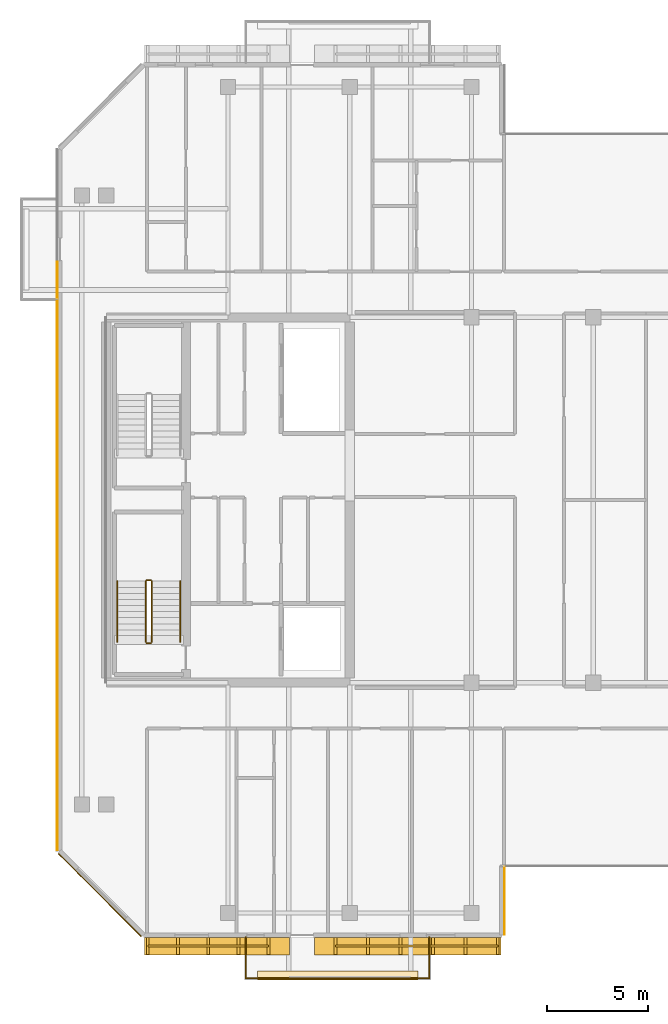
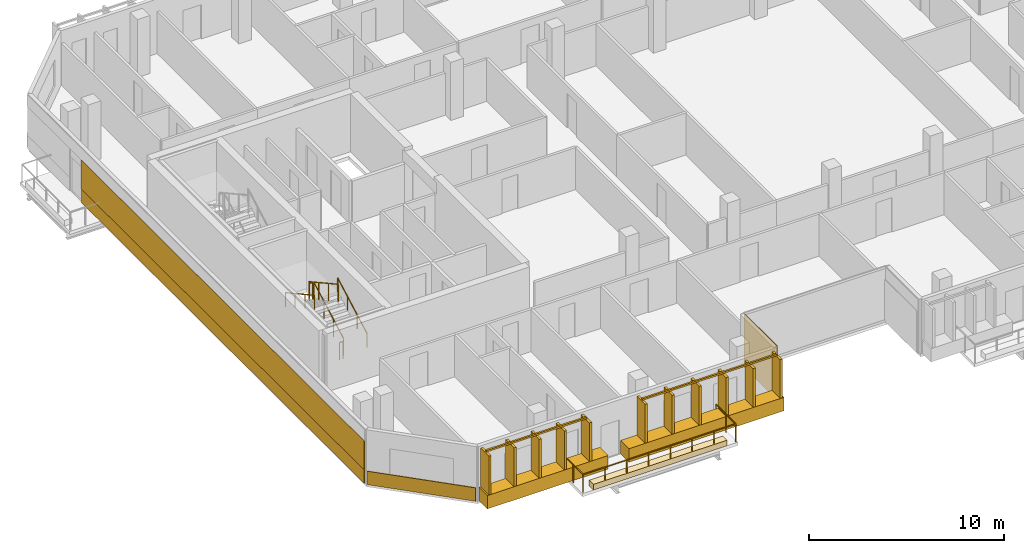
# One storey, part 18 of 23: 9 railings, 7 coverings.
"""IFC4 building model written with IfcOpenShell, lengths in metres."""

from ifc_helpers import new_model, si_unit, direction, frame, origin, origin_2d, place, context, subcontext, project, spatial, polyline, rectangle, outline, extrude, material, layer, layer_set, type_object, element, save


model = new_model("IFC4")

# Units and contexts
model_context = context("Model", 3, precision=1e-05, world=origin(), true_north=direction((0.0, 1.0)))
body_context = subcontext(model_context, "Body", "Model", "MODEL_VIEW")
ifc_project = project(units=[si_unit("LENGTHUNIT", "METRE"), si_unit("AREAUNIT", "SQUARE_METRE"), si_unit("VOLUMEUNIT", "CUBIC_METRE"), si_unit("PLANEANGLEUNIT", "RADIAN"), si_unit("MASSUNIT", "GRAM", prefix="KILO")], contexts=[model_context])

# Site, building, storey
site_placement = place(None, origin())
site = spatial("IfcSite", under=ifc_project, at=site_placement, CompositionType="ELEMENT")
building_placement = place(site_placement, origin())
building = spatial("IfcBuilding", under=site, at=building_placement, Name="Tanjung Sevakor Pilgrim Tower", CompositionType="ELEMENT")
storey_placement = place(building_placement, frame((0.0, 0.0, 215.489990234375)))
storey = spatial("IfcBuildingStorey", under=building, at=storey_placement, Name="L60", CompositionType="ELEMENT", Elevation=215.489990234375)

# Coverings
ifc_material_1 = material(Name="Reconstructed Limestone Cladding", Category="masonry")
ifc_layer_1 = layer(ifc_material_1, 0.044921875)
ifc_layer_set_1 = layer_set([ifc_layer_1], Name="COV-CLAD-LIMESTONE")
covering_type_1 = type_object("IfcCoveringType", Name="COV-CLAD-LIMESTONE", PredefinedType="CLADDING", material=ifc_layer_set_1)
covering_1_placement = place(storey_placement, frame((29.462890625, 11.6201171875, 0.009765625), z_axis=(0.0, 0.0, 1.0), x_axis=(1.0, 0.0, 0.0)))
element("IfcCovering", 1, at=covering_1_placement, inside=storey, type_object=covering_type_1, Name="L60 Warm Limestone Sill Spandrel EW-L60-MAIN-1-1", PredefinedType="CLADDING", context=body_context, shape_type="SweptSolid", body=[
    extrude(rectangle(XDim=7.154296875, YDim=0.860107421875, at=origin_2d()), origin(), (0.0, 0.0, 1.0), 0.840087890625),
])
covering_2_placement = place(storey_placement, frame((38.85498046875, 11.6201171875, 0.009765625), z_axis=(0.0, 0.0, 1.0), x_axis=(1.0, 0.0, 0.0)))
element("IfcCovering", 2, at=covering_2_placement, inside=storey, type_object=covering_type_1, Name="L60 Warm Limestone Sill Spandrel EW-L60-MAIN-1-2", PredefinedType="CLADDING", context=body_context, shape_type="SweptSolid", body=[
    extrude(rectangle(XDim=9.18994140625, YDim=0.860107421875, at=origin_2d()), origin(), (0.0, 0.0, 1.0), 0.840087890625),
])
covering_3_placement = place(storey_placement, frame((43.62255859375, 13.860107421875, 0.02001953125), z_axis=(0.0, 0.0, 1.0), x_axis=(0.0, 1.0, 0.0)))
element("IfcCovering", 3, at=covering_3_placement, inside=storey, type_object=covering_type_1, Name="L60 Warm Limestone Wall Cladding EW-L60-MAIN-2", PredefinedType="CLADDING", context=body_context, shape_type="SweptSolid", body=[
    extrude(rectangle(XDim=3.360107421875, YDim=0.044921875, at=origin_2d()), origin(), (0.0, 0.0, 1.0), 3.3701171875),
])
covering_4_placement = place(storey_placement, frame((21.577392578125, 30.837890625, 0.009765625), z_axis=(0.0, 0.0, 1.0), x_axis=(0.0, -1.0, 0.0)))
element("IfcCovering", 4, at=covering_4_placement, inside=storey, type_object=covering_type_1, Name="L60 Warm Limestone Sill Spandrel EW-L60-MAIN-15-2", PredefinedType="CLADDING", context=body_context, shape_type="SweptSolid", body=[
    extrude(rectangle(XDim=29.00439453125, YDim=0.044921875, at=origin_2d()), origin(), (0.0, 0.0, 1.0), 0.840087890625),
])
covering_5_placement = place(storey_placement, frame((21.577392578125, 30.8427734375, 0.85009765625), z_axis=(0.0, 0.0, 1.0), x_axis=(0.0, -1.0, 0.0)))
element("IfcCovering", 5, at=covering_5_placement, inside=storey, type_object=covering_type_1, Name="L60 Warm Limestone Pier Panel EW-L60-MAIN-15-2", PredefinedType="CLADDING", context=body_context, shape_type="SweptSolid", body=[
    extrude(rectangle(XDim=29.014404296875, YDim=0.044921875, at=origin_2d()), origin(), (0.0, 0.0, 1.0), 1.81005859375),
])
covering_6_placement = place(storey_placement, frame((23.68408203125, 14.134033203125, 0.009765625), z_axis=(0.0, 0.0, 1.0), x_axis=(0.707106781187, -0.707106781187, 0.0)))
element("IfcCovering", 6, at=covering_6_placement, inside=storey, type_object=covering_type_1, Name="L60 Warm Limestone Sill Spandrel EW-CHM-L60-MAIN-15-1", PredefinedType="CLADDING", context=body_context, shape_type="SweptSolid", body=[
    extrude(rectangle(XDim=5.7685546875, YDim=0.044921875, at=origin_2d()), origin(), (0.0, 0.0, 1.0), 0.840087890625),
])
ifc_material_2 = material(Name="Vegetated Modular Planter Assembly", Category="organic")
ifc_layer_2 = layer(ifc_material_2, 0.35009765625)
ifc_layer_set_2 = layer_set([ifc_layer_2], Name="COV-GRN-TROUGH")
covering_type_2 = type_object("IfcCoveringType", Name="COV-GRN-TROUGH", PredefinedType="CLADDING", material=ifc_layer_set_2)
covering_7_placement = place(storey_placement, origin())
element("IfcCovering", 7, at=covering_7_placement, inside=storey, type_object=covering_type_2, Name="L60 Planted Landscape Hedge Trough BGRN-L60-MAIN-S1", PredefinedType="CLADDING", context=body_context, shape_type="SweptSolid", body=[
    extrude(outline(polyline([(31.449951171875, 9.949951171875), (39.35009765625, 9.949951171875), (39.35009765625, 10.389892578125), (31.449951171875, 10.389892578125), (31.449951171875, 9.949951171875)])), origin(), (0.0, 0.0, 1.0), 0.35009765625),
])

# Railings
ifc_material_3 = material(Name="Laminated Glass and Aluminium", Category="aluminium")
railing_type_1 = type_object("IfcRailingType", Name="RL-BAL-BALUST", PredefinedType="BALUSTRADE", material=ifc_material_3)
railing_1_placement = place(storey_placement, frame((30.8798828125, 12.050048828125, 0.0)))
element("IfcRailing", 8, at=railing_1_placement, inside=storey, type_object=railing_type_1, Name="L60 Loggia Balustrade MAIN-S1", PredefinedType="BALUSTRADE", context=body_context, shape_type="SweptSolid", body=[
    extrude(rectangle(XDim=0.0479, YDim=0.0479), frame((0.0, 0.0, 1.1259765625), z_axis=(0.0, -1.0, 0.0), x_axis=(1.0, 0.0, 0.0)), (0.0, 0.0, 1.0), 2.02001953125),
    extrude(rectangle(XDim=0.0479, YDim=0.0479), frame((0.0, -2.02001953125, 1.1259765625), z_axis=(1.0, 0.0, 0.0), x_axis=(0.0, 1.0, 0.0)), (0.0, 0.0, 1.0), 9.0400390625),
    extrude(rectangle(XDim=0.0479, YDim=0.0479), frame((9.0400390625, -2.02001953125, 1.1259765625), z_axis=(0.0, 1.0, 0.0), x_axis=(-1.0, 0.0, 0.0)), (0.0, 0.0, 1.0), 2.02001953125),
    extrude(rectangle(XDim=0.042, YDim=0.042), origin(), (0.0, 0.0, 1.0), 1.101806640625),
    extrude(rectangle(XDim=0.042, YDim=0.042), frame((0.0, -1.010009765625, 0.0)), (0.0, 0.0, 1.0), 1.101806640625),
    extrude(rectangle(XDim=0.042, YDim=0.042), frame((0.0, -2.02001953125, 0.0)), (0.0, 0.0, 1.0), 1.101806640625),
    extrude(rectangle(XDim=0.042, YDim=0.042), frame((1.29150390625, -2.02001953125, 0.0)), (0.0, 0.0, 1.0), 1.101806640625),
    extrude(rectangle(XDim=0.042, YDim=0.042), frame((2.582763671875, -2.02001953125, 0.0)), (0.0, 0.0, 1.0), 1.101806640625),
    extrude(rectangle(XDim=0.042, YDim=0.042), frame((3.874267578125, -2.02001953125, 0.0)), (0.0, 0.0, 1.0), 1.101806640625),
    extrude(rectangle(XDim=0.042, YDim=0.042), frame((5.165771484375, -2.02001953125, 0.0)), (0.0, 0.0, 1.0), 1.101806640625),
    extrude(rectangle(XDim=0.042, YDim=0.042), frame((6.457275390625, -2.02001953125, 0.0)), (0.0, 0.0, 1.0), 1.101806640625),
    extrude(rectangle(XDim=0.042, YDim=0.042), frame((7.74853515625, -2.02001953125, 0.0)), (0.0, 0.0, 1.0), 1.101806640625),
    extrude(rectangle(XDim=0.042, YDim=0.042), frame((9.0400390625, -2.02001953125, 0.0)), (0.0, 0.0, 1.0), 1.101806640625),
    extrude(rectangle(XDim=0.042, YDim=0.042), frame((9.0400390625, -1.010009765625, 0.0)), (0.0, 0.0, 1.0), 1.101806640625),
    extrude(rectangle(XDim=0.042, YDim=0.042), frame((9.0400390625, 0.0, 0.0)), (0.0, 0.0, 1.0), 1.101806640625),
])
ifc_material_4 = material(Name="Anodised Bronze Aluminium 6063-T6", Category="aluminium")
railing_type_2 = type_object("IfcRailingType", Name="RL-FIN-SCREEN", PredefinedType="BALUSTRADE", material=ifc_material_4)
railing_2_placement = place(storey_placement, frame((26.045654296875, 11.625, 0.840087890625)))
element("IfcRailing", 9, at=railing_2_placement, inside=storey, type_object=railing_type_2, Name="L60 Vertical Bronze-Gold Solar Fin Screen FNSCR-EW-L60-MAIN-1-1", PredefinedType="BALUSTRADE", context=body_context, shape_type="SweptSolid", body=[
    extrude(rectangle(XDim=0.105, YDim=0.105), frame((0.0, 0.0, 2.487548828125), z_axis=(1.0, 0.0, 0.0), x_axis=(0.0, 1.0, 0.0)), (0.0, 0.0, 1.0), 5.954345703125),
    extrude(rectangle(XDim=0.14, YDim=0.85), origin(), (0.0, 0.0, 1.0), 2.43505859375),
    extrude(rectangle(XDim=0.14, YDim=0.85), frame((1.488525390625, 0.0, 0.0)), (0.0, 0.0, 1.0), 2.43505859375),
    extrude(rectangle(XDim=0.14, YDim=0.85), frame((2.97705078125, 0.0, 0.0)), (0.0, 0.0, 1.0), 2.43505859375),
    extrude(rectangle(XDim=0.14, YDim=0.85), frame((4.4658203125, 0.0, 0.0)), (0.0, 0.0, 1.0), 2.43505859375),
    extrude(rectangle(XDim=0.14, YDim=0.85), frame((5.954345703125, 0.0, 0.0)), (0.0, 0.0, 1.0), 2.43505859375),
])
railing_3_placement = place(storey_placement, frame((35.300048828125, 11.625, 0.840087890625)))
element("IfcRailing", 10, at=railing_3_placement, inside=storey, type_object=railing_type_2, Name="L60 Vertical Bronze-Gold Solar Fin Screen FNSCR-EW-L60-MAIN-1-2", PredefinedType="BALUSTRADE", context=body_context, shape_type="SweptSolid", body=[
    extrude(rectangle(XDim=0.105, YDim=0.105), frame((0.0, 0.0, 2.487548828125), z_axis=(1.0, 0.0, 0.0), x_axis=(0.0, 1.0, 0.0)), (0.0, 0.0, 1.0), 7.989990234375),
    extrude(rectangle(XDim=0.14, YDim=0.85), origin(), (0.0, 0.0, 1.0), 2.43505859375),
    extrude(rectangle(XDim=0.14, YDim=0.85), frame((1.597900390625, 0.0, 0.0)), (0.0, 0.0, 1.0), 2.43505859375),
    extrude(rectangle(XDim=0.14, YDim=0.85), frame((3.196044921875, 0.0, 0.0)), (0.0, 0.0, 1.0), 2.43505859375),
    extrude(rectangle(XDim=0.14, YDim=0.85), frame((4.7939453125, 0.0, 0.0)), (0.0, 0.0, 1.0), 2.43505859375),
    extrude(rectangle(XDim=0.14, YDim=0.85), frame((6.39208984375, 0.0, 0.0)), (0.0, 0.0, 1.0), 2.43505859375),
    extrude(rectangle(XDim=0.14, YDim=0.85), frame((7.989990234375, 0.0, 0.0)), (0.0, 0.0, 1.0), 2.43505859375),
])
ifc_material_5 = material(Name="Steel S355J2", Category="steel")
railing_type_3 = type_object("IfcRailingType", Name="RL-STAIR-GUARD", PredefinedType="GUARDRAIL", material=ifc_material_5)
railing_4_placement = place(storey_placement, frame((26.25, 26.60009765625, 0.1650390625)))
element("IfcRailing", 11, at=railing_4_placement, inside=storey, type_object=railing_type_3, Name="L60 TS-W1 stair guard 1", PredefinedType="GUARDRAIL", context=body_context, shape_type="SweptSolid", body=[
    extrude(rectangle(XDim=0.0479, YDim=0.0479), frame((0.0, 0.0, 1.076171875), z_axis=(0.0, 0.876227952683, 0.48189685093), x_axis=(-1.0, 0.0, 0.0)), (0.0, 0.0, 1.0), 3.423828125),
    extrude(rectangle(XDim=0.042, YDim=0.042), origin(), (0.0, 0.0, 1.0), 1.052001953125),
    extrude(rectangle(XDim=0.042, YDim=0.042), frame((0.0, 1.0, 0.550048828125)), (0.0, 0.0, 1.0), 1.052001953125),
    extrude(rectangle(XDim=0.042, YDim=0.042), frame((0.0, 2.0, 1.099853515625)), (0.0, 0.0, 1.0), 1.052001953125),
    extrude(rectangle(XDim=0.042, YDim=0.042), frame((0.0, 3.0, 1.64990234375)), (0.0, 0.0, 1.0), 1.052001953125),
])
railing_5_placement = place(storey_placement, frame((26.199951171875, 29.64990234375, 1.81494140625)))
element("IfcRailing", 12, at=railing_5_placement, inside=storey, type_object=railing_type_3, Name="L60 TS-W1 stair guard 2", PredefinedType="GUARDRAIL", context=body_context, shape_type="SweptSolid", body=[
    extrude(rectangle(XDim=0.0479, YDim=0.0479), frame((0.0, 0.0, 1.076171875), z_axis=(-1.0, 0.0, 0.0), x_axis=(0.0, -1.0, 0.0)), (0.0, 0.0, 1.0), 0.199951171875),
    extrude(rectangle(XDim=0.042, YDim=0.042), origin(), (0.0, 0.0, 1.0), 1.052001953125),
    extrude(rectangle(XDim=0.042, YDim=0.042), frame((-0.199951171875, 0.0, 0.0)), (0.0, 0.0, 1.0), 1.052001953125),
])
railing_6_placement = place(storey_placement, frame((25.949951171875, 29.60009765625, 1.97998046875)))
element("IfcRailing", 13, at=railing_6_placement, inside=storey, type_object=railing_type_3, Name="L60 TS-W1 stair guard 3", PredefinedType="GUARDRAIL", context=body_context, shape_type="SweptSolid", body=[
    extrude(rectangle(XDim=0.0479, YDim=0.0479), frame((0.0, 0.0, 1.076171875), z_axis=(0.0, -0.876197842262, 0.481951596342), x_axis=(1.0, 0.0, 0.0)), (0.0, 0.0, 1.0), 3.423828125),
    extrude(rectangle(XDim=0.042, YDim=0.042), origin(), (0.0, 0.0, 1.0), 1.052001953125),
    extrude(rectangle(XDim=0.042, YDim=0.042), frame((0.0, -1.0, 0.550048828125)), (0.0, 0.0, 1.0), 1.052001953125),
    extrude(rectangle(XDim=0.042, YDim=0.042), frame((0.0, -2.0, 1.10009765625)), (0.0, 0.0, 1.0), 1.052001953125),
    extrude(rectangle(XDim=0.042, YDim=0.042), frame((0.0, -3.0, 1.650146484375)), (0.0, 0.0, 1.0), 1.052001953125),
])
railing_7_placement = place(storey_placement, frame((26.199951171875, 26.550048828125, 0.0)))
element("IfcRailing", 14, at=railing_7_placement, inside=storey, type_object=railing_type_3, Name="L60 TS-W1 stair guard 4", PredefinedType="GUARDRAIL", context=body_context, shape_type="SweptSolid", body=[
    extrude(rectangle(XDim=0.0479, YDim=0.0479), frame((0.0, 0.0, 1.076171875), z_axis=(-1.0, 0.0, 0.0), x_axis=(0.0, -1.0, 0.0)), (0.0, 0.0, 1.0), 0.199951171875),
    extrude(rectangle(XDim=0.042, YDim=0.042), origin(), (0.0, 0.0, 1.0), 1.052001953125),
    extrude(rectangle(XDim=0.042, YDim=0.042), frame((-0.199951171875, 0.0, 0.0)), (0.0, 0.0, 1.0), 1.052001953125),
])
ifc_material_6 = material(Name="Steel S355J2", Category="steel")
railing_type_4 = type_object("IfcRailingType", Name="RL-STAIR-HAND", PredefinedType="HANDRAIL", material=ifc_material_6)
railing_8_placement = place(storey_placement, frame((27.64990234375, 26.60009765625, 0.1650390625)))
element("IfcRailing", 15, at=railing_8_placement, inside=storey, type_object=railing_type_4, Name="L60 TS-W1 stair handrail 1", PredefinedType="HANDRAIL", context=body_context, shape_type="SweptSolid", body=[
    extrude(rectangle(XDim=0.0479, YDim=0.0479), frame((0.0, 0.0, 0.8759765625), z_axis=(0.0, 0.876227952683, 0.48189685093), x_axis=(-1.0, 0.0, 0.0)), (0.0, 0.0, 1.0), 3.423828125),
    extrude(rectangle(XDim=0.042, YDim=0.042), origin(), (0.0, 0.0, 1.0), 0.851806640625),
    extrude(rectangle(XDim=0.042, YDim=0.042), frame((0.0, 1.0, 0.550048828125)), (0.0, 0.0, 1.0), 0.851806640625),
    extrude(rectangle(XDim=0.042, YDim=0.042), frame((0.0, 2.0, 1.099853515625)), (0.0, 0.0, 1.0), 0.851806640625),
    extrude(rectangle(XDim=0.042, YDim=0.042), frame((0.0, 3.0, 1.64990234375)), (0.0, 0.0, 1.0), 0.851806640625),
])
railing_9_placement = place(storey_placement, frame((24.550048828125, 29.60009765625, 1.97998046875)))
element("IfcRailing", 16, at=railing_9_placement, inside=storey, type_object=railing_type_4, Name="L60 TS-W1 stair handrail 2", PredefinedType="HANDRAIL", context=body_context, shape_type="SweptSolid", body=[
    extrude(rectangle(XDim=0.0479, YDim=0.0479), frame((0.0, 0.0, 0.8759765625), z_axis=(0.0, -0.876197842262, 0.481951596342), x_axis=(1.0, 0.0, 0.0)), (0.0, 0.0, 1.0), 3.423828125),
    extrude(rectangle(XDim=0.042, YDim=0.042), origin(), (0.0, 0.0, 1.0), 0.851806640625),
    extrude(rectangle(XDim=0.042, YDim=0.042), frame((0.0, -1.0, 0.550048828125)), (0.0, 0.0, 1.0), 0.851806640625),
    extrude(rectangle(XDim=0.042, YDim=0.042), frame((0.0, -2.0, 1.10009765625)), (0.0, 0.0, 1.0), 0.851806640625),
    extrude(rectangle(XDim=0.042, YDim=0.042), frame((0.0, -3.0, 1.650146484375)), (0.0, 0.0, 1.0), 0.851806640625),
])

save(model, "model.ifc")
